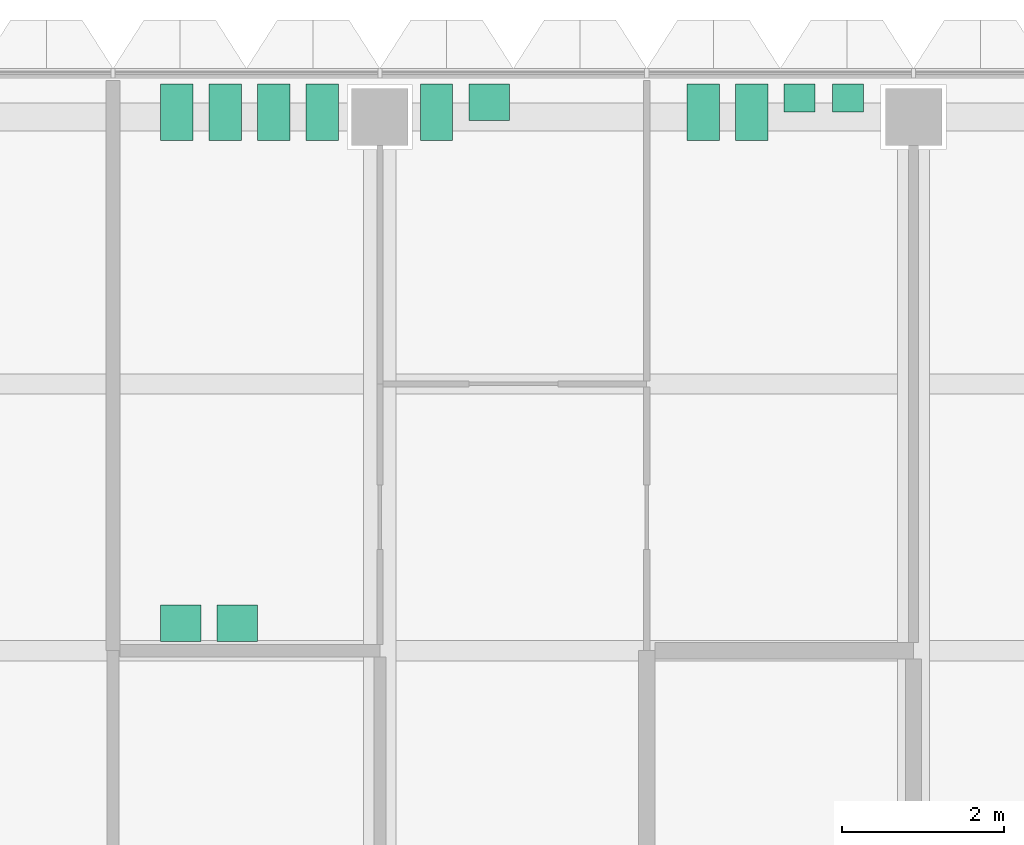
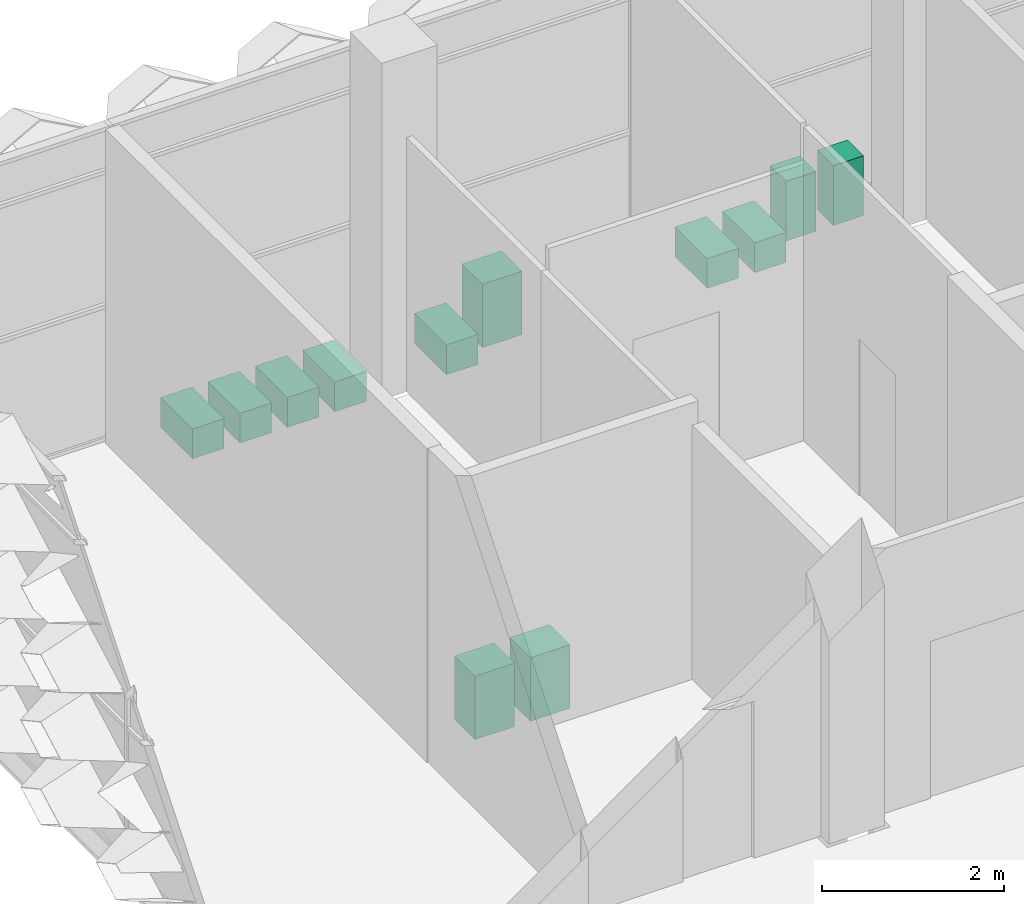
# One storey, part 29 of 29: 12 sanitary terminals.
"""IFC4 building model written with IfcOpenShell, lengths in metres."""

from ifc_helpers import new_model, si_unit, direction, frame, origin, origin_2d, place, context, subcontext, project, spatial, rectangle, extrude, element, save


model = new_model("IFC4")

# Units and contexts
model_context = context("Model", 3, precision=1e-05, world=origin(), true_north=direction((0.0, 1.0)))
body_context = subcontext(model_context, "Body", "Model", "MODEL_VIEW")
ifc_project = project(units=[si_unit("LENGTHUNIT", "METRE"), si_unit("AREAUNIT", "SQUARE_METRE"), si_unit("VOLUMEUNIT", "CUBIC_METRE"), si_unit("PLANEANGLEUNIT", "RADIAN"), si_unit("MASSUNIT", "GRAM", prefix="KILO")], contexts=[model_context])

# Site, building, storey
site_placement = place(None, origin())
site = spatial("IfcSite", under=ifc_project, at=site_placement, CompositionType="ELEMENT")
building_placement = place(site_placement, origin())
building = spatial("IfcBuilding", under=site, at=building_placement, Name="Lantern Court Research Institute", CompositionType="ELEMENT")
storey_placement = place(building_placement, frame((0.0, 0.0, 32.39990234375)))
storey = spatial("IfcBuildingStorey", under=building, at=storey_placement, Name="L07", CompositionType="ELEMENT", Elevation=32.39990234375)

# Sanitary terminals
for number, where, z_axis, x_axis, name in (
    (1, (56.887451171875, 23.159912109375, 0.000244140625), (0.0, 0.0, 1.0), (1.0, 0.0, 0.0), "WC pan T7.04"),
    (2, (57.487548828125, 23.159912109375, 0.000244140625), (0.0, 0.0, 1.0), (1.0, 0.0, 0.0), "WC pan T7.04"),
    (3, (58.08740234375, 23.159912109375, 0.000244140625), (0.0, 0.0, 1.0), (1.0, 0.0, 0.0), "WC pan T7.04"),
    (4, (58.6875, 23.159912109375, 0.000244140625), (0.0, 0.0, 1.0), (1.0, 0.0, 0.0), "WC pan T7.04"),
):
    element("IfcSanitaryTerminal", number, at=place(storey_placement, frame(where, z_axis=z_axis, x_axis=x_axis)), inside=storey, Name=name, PredefinedType="TOILETPAN", context=body_context, shape_type="SweptSolid", body=[
        extrude(rectangle(XDim=0.39990234375, YDim=0.699951171875, at=origin_2d()), origin(), (0.0, 0.0, 1.0), 0.39990234375),
    ])
for number, where, z_axis, x_axis, name in (
    (5, (56.9375, 16.840087890625, 0.0), (0.0, 0.0, 1.0), (1.0, 0.0, 0.0), "Wash basin T7.04"),
    (6, (57.637451171875, 16.840087890625, 0.0), (0.0, 0.0, 1.0), (1.0, 0.0, 0.0), "Wash basin T7.04"),
):
    element("IfcSanitaryTerminal", number, at=place(storey_placement, frame(where, z_axis=z_axis, x_axis=x_axis)), inside=storey, Name=name, PredefinedType="WASHHANDBASIN", context=body_context, shape_type="SweptSolid", body=[
        extrude(rectangle(XDim=0.5, YDim=0.449951171875, at=origin_2d()), origin(), (0.0, 0.0, 1.0), 0.85009765625),
    ])
sanitary_terminal_1_placement = place(storey_placement, frame((60.10009765625, 23.159912109375, 0.000244140625), z_axis=(0.0, 0.0, 1.0), x_axis=(1.0, 0.0, 0.0)))
element("IfcSanitaryTerminal", 7, at=sanitary_terminal_1_placement, inside=storey, Name="WC pan T7.06", PredefinedType="TOILETPAN", context=body_context, shape_type="SweptSolid", body=[
    extrude(rectangle(XDim=0.39990234375, YDim=0.699951171875, at=origin_2d()), origin(), (0.0, 0.0, 1.0), 0.39990234375),
])
sanitary_terminal_2_placement = place(storey_placement, frame((60.75, 23.284912109375, 0.0), z_axis=(0.0, 0.0, 1.0), x_axis=(1.0, 0.0, 0.0)))
element("IfcSanitaryTerminal", 8, at=sanitary_terminal_2_placement, inside=storey, Name="Wash basin T7.06", PredefinedType="WASHHANDBASIN", context=body_context, shape_type="SweptSolid", body=[
    extrude(rectangle(XDim=0.5, YDim=0.449951171875, at=origin_2d()), origin(), (0.0, 0.0, 1.0), 0.85009765625),
])
for number, where, z_axis, x_axis, name in (
    (9, (63.39990234375, 23.159912109375, 0.000244140625), (0.0, 0.0, 1.0), (1.0, 0.0, 0.0), "WC pan T7.08"),
    (10, (64.0, 23.159912109375, 0.000244140625), (0.0, 0.0, 1.0), (1.0, 0.0, 0.0), "WC pan T7.08"),
):
    element("IfcSanitaryTerminal", number, at=place(storey_placement, frame(where, z_axis=z_axis, x_axis=x_axis)), inside=storey, Name=name, PredefinedType="TOILETPAN", context=body_context, shape_type="SweptSolid", body=[
        extrude(rectangle(XDim=0.39990234375, YDim=0.699951171875, at=origin_2d()), origin(), (0.0, 0.0, 1.0), 0.39990234375),
    ])
for number, where, z_axis, x_axis, name in (
    (11, (64.590087890625, 23.3349609375, 0.0), (0.0, 0.0, 1.0), (1.0, 0.0, 0.0), "Urinal T7.08"),
    (12, (65.18994140625, 23.3349609375, 0.0), (0.0, 0.0, 1.0), (1.0, 0.0, 0.0), "Urinal T7.08"),
):
    element("IfcSanitaryTerminal", number, at=place(storey_placement, frame(where, z_axis=z_axis, x_axis=x_axis)), inside=storey, Name=name, PredefinedType="URINAL", context=body_context, shape_type="SweptSolid", body=[
        extrude(rectangle(XDim=0.3798828125, YDim=0.35009765625, at=origin_2d()), origin(), (0.0, 0.0, 1.0), 0.800048828125),
    ])

save(model, "model.ifc")
